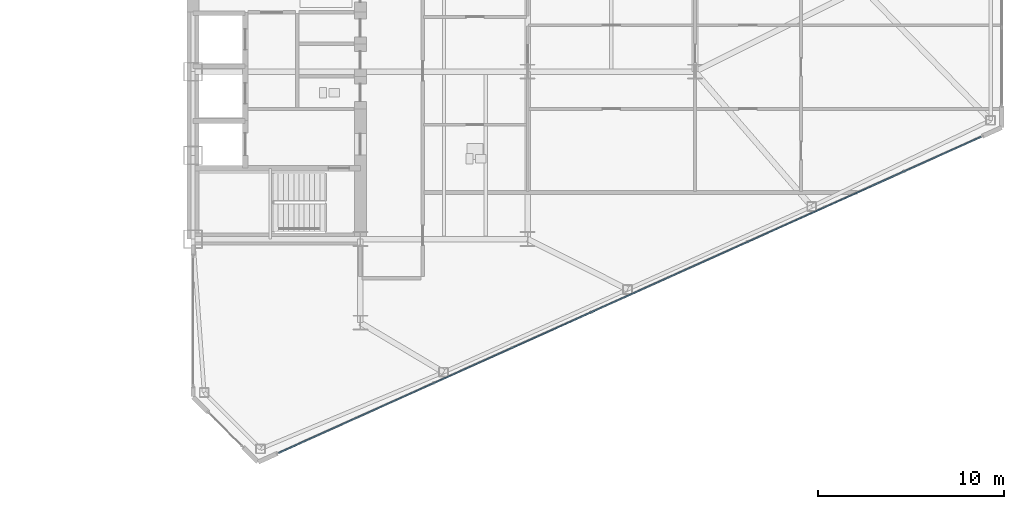
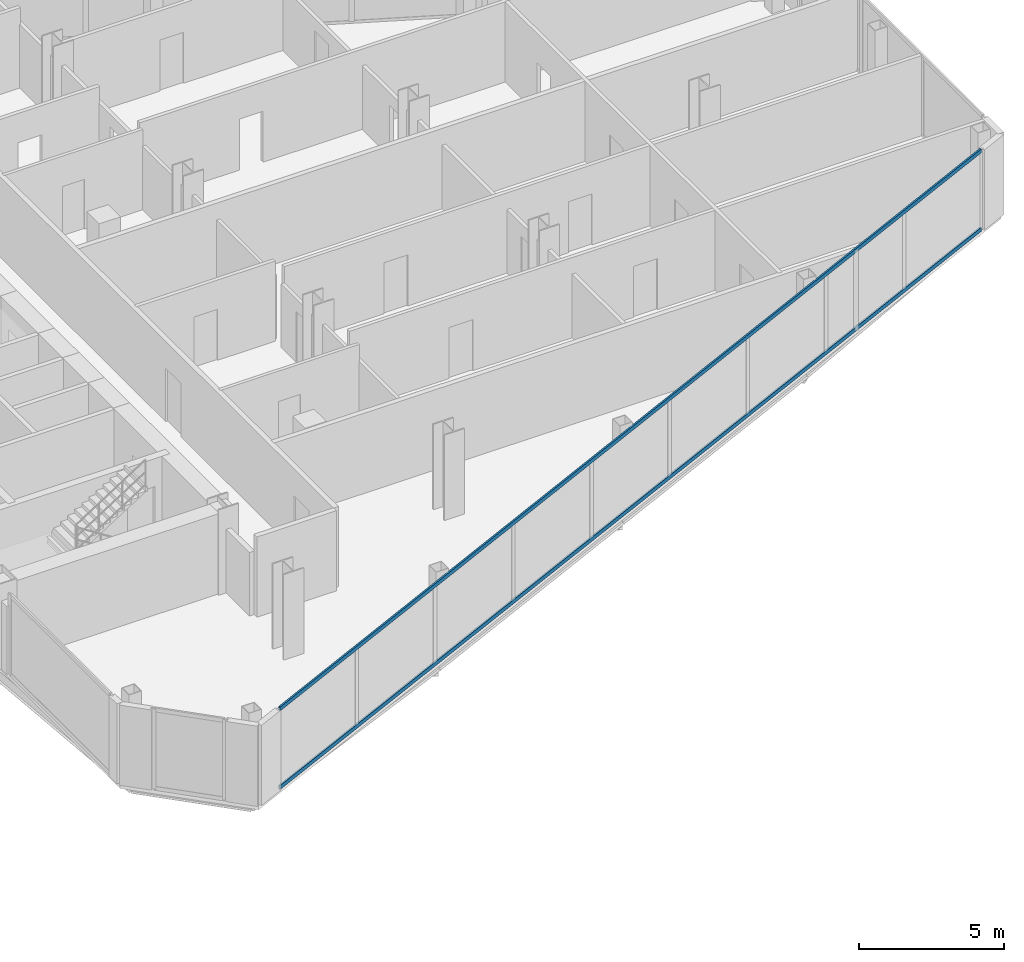
# One storey, part 11 of 27: 2 members, 1 element without a shape of its own.
"""IFC4 building model written with IfcOpenShell, lengths in metres."""

from ifc_helpers import new_model, si_unit, direction, frame, origin, origin_2d, place, context, subcontext, project, spatial, rectangle, extrude, source, transform, mapped, material, layer, layer_set, material_profile, profile_set, type_object, type_shapes, element, aggregate, save


model = new_model("IFC4")

# Units and contexts
model_context = context("Model", 3, precision=1e-05, world=origin(), true_north=direction((0.0, 1.0)))
body_context = subcontext(model_context, "Body", "Model", "MODEL_VIEW")
ifc_project = project(units=[si_unit("LENGTHUNIT", "METRE"), si_unit("AREAUNIT", "SQUARE_METRE"), si_unit("VOLUMEUNIT", "CUBIC_METRE"), si_unit("PLANEANGLEUNIT", "RADIAN"), si_unit("MASSUNIT", "GRAM", prefix="KILO")], contexts=[model_context])

# Site, building, storey
site_placement = place(None, origin())
site = spatial("IfcSite", under=ifc_project, at=site_placement, CompositionType="ELEMENT")
building_placement = place(site_placement, origin())
building = spatial("IfcBuilding", under=site, at=building_placement, Name="Seokmaru Belvedere", CompositionType="ELEMENT")
storey_placement = place(building_placement, frame((0.0, 0.0, 103.199951171875)))
storey = spatial("IfcBuildingStorey", under=building, at=storey_placement, Name="L27", CompositionType="ELEMENT", Elevation=103.199951171875)

# Curtain wall, members
ifc_material_1 = material(Name="Bronze Triple Insulating Glass", Category="glass")
ifc_layer = layer(ifc_material_1, 0.195068359375)
ifc_layer_set = layer_set([ifc_layer], Name="Bronze Triple Insulating Glass")
curtain_wall_type = type_object("IfcCurtainWallType", Name="Lower-Mid Tapered Curtain Wall System CW-3", PredefinedType="NOTDEFINED", material=ifc_layer_set)
curtain_wall_placement = place(storey_placement, origin())
curtain_wall = element("IfcCurtainWall", 1, at=curtain_wall_placement, inside=storey, type_object=curtain_wall_type, Name="L27 Curtain Wall EF1", PredefinedType="NOTDEFINED")
ifc_material_2 = material(Name="Anodised Bronze Aluminium", Category="aluminium")
ifc_material_profile = material_profile(ifc_material_2, rectangle(XDim=0.070068359375, YDim=0.1650390625, at=origin_2d()), Name="CW-T-70x165")
ifc_profile_set = profile_set([ifc_material_profile], Name="Anodised Bronze Aluminium")
member_type = type_object("IfcMemberType", Name="Bronze Unitised Transom 70x165", PredefinedType="USERDEFINED", material=ifc_profile_set)
shared_shape = source(origin(), body_context, "Body", "SweptSolid", [
    extrude(rectangle(XDim=0.070068359375, YDim=0.1650390625, at=origin_2d()), origin(), (0.0, 0.0, 1.0), 41.423583984375),
])
type_shapes(member_type, [shared_shape])
member_1_placement = place(storey_placement, frame((32.112548828125, -24.99951171875, 0.03515625), z_axis=(0.911918637916, 0.410371048956, 0.0), x_axis=(-0.410371048956, 0.911918637916, 0.0)))
member_1 = element("IfcMember", 2, at=member_1_placement, type_object=member_type, Name="CW:L27:EF1 Continuous Transom 1", ObjectType="TRANSOM", PredefinedType="USERDEFINED", context=body_context, shape_type="MappedRepresentation", body=[
    mapped(shared_shape, transform((0.0, 0.0, 0.0), scale=1.0)),
])
member_2_placement = place(storey_placement, frame((32.112548828125, -24.99951171875, 3.344970703125), z_axis=(0.911918637916, 0.410371048956, 0.0), x_axis=(-0.410371048956, 0.911918637916, 0.0)))
member_2 = element("IfcMember", 3, at=member_2_placement, type_object=member_type, Name="CW:L27:EF1 Continuous Transom 2", ObjectType="TRANSOM", PredefinedType="USERDEFINED", context=body_context, shape_type="MappedRepresentation", body=[
    mapped(shared_shape, transform((0.0, 0.0, 0.0), scale=1.0)),
])
aggregate(curtain_wall, [member_1, member_2])

save(model, "model.ifc")
